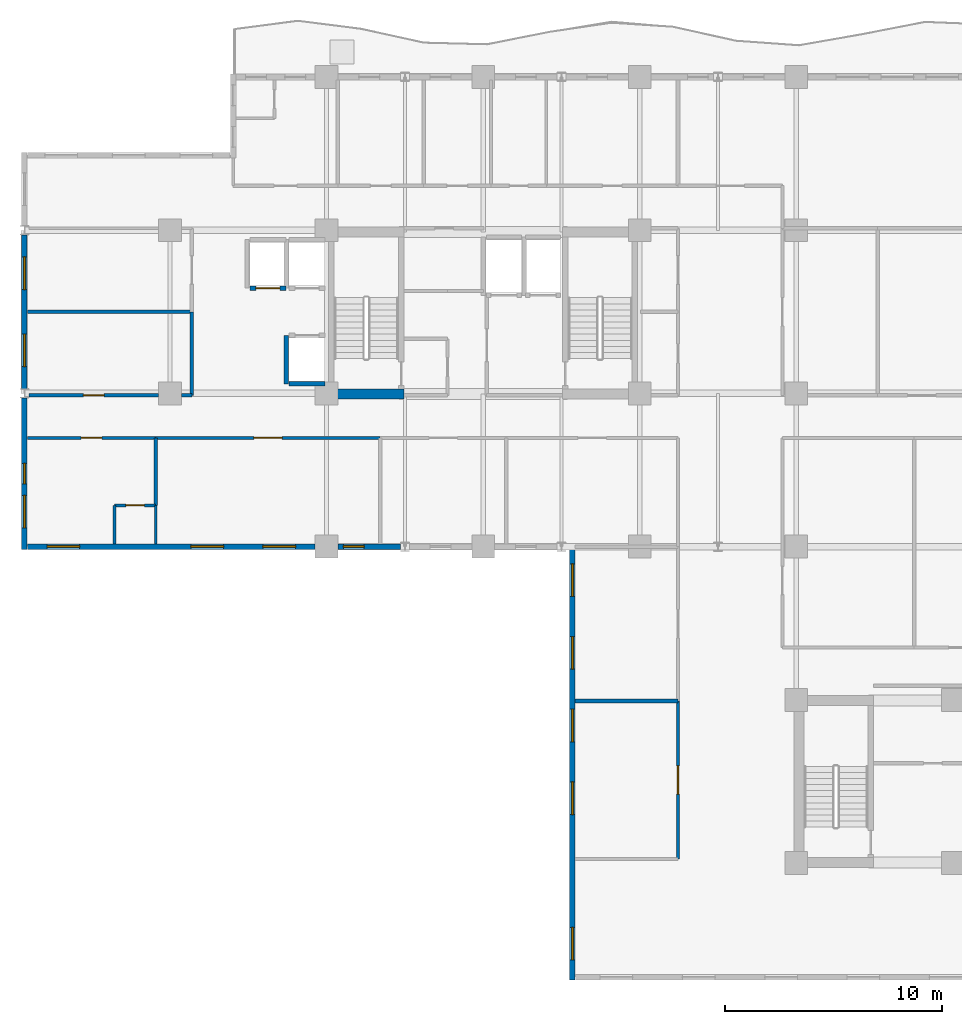
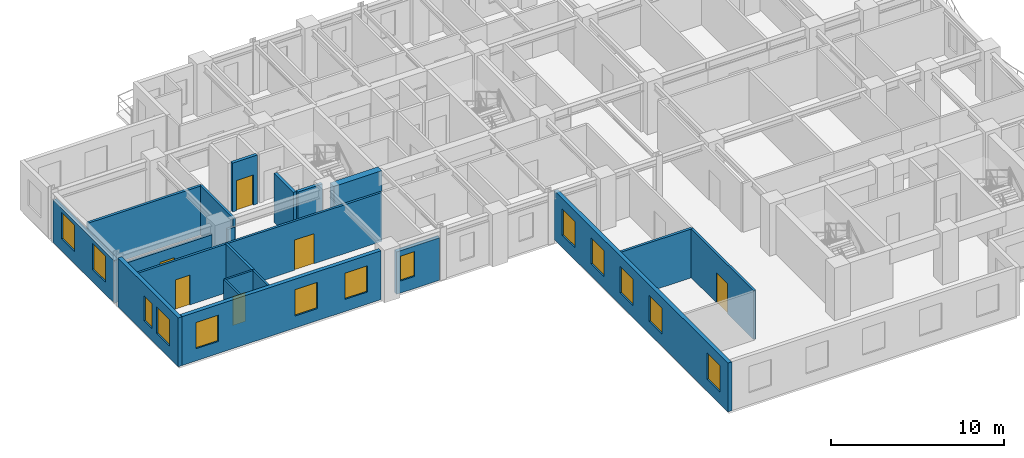
# One storey, part 4 of 13: 21 walls, 13 windows, 6 doors, 19 openings.
"""IFC4 building model written with IfcOpenShell, lengths in metres."""

from ifc_helpers import new_model, si_unit, direction, frame, frame_2d, origin, place, context, subcontext, project, spatial, rectangle, extrude, material, layer, layer_set, type_object, element, fill, save


model = new_model("IFC4")

# Units and contexts
model_context = context("Model", 3, precision=1e-05, world=origin(), true_north=direction((0.0, 1.0)))
body_context = subcontext(model_context, "Body", "Model", "MODEL_VIEW")
ifc_project = project(units=[si_unit("LENGTHUNIT", "METRE"), si_unit("AREAUNIT", "SQUARE_METRE"), si_unit("VOLUMEUNIT", "CUBIC_METRE"), si_unit("PLANEANGLEUNIT", "RADIAN"), si_unit("MASSUNIT", "GRAM", prefix="KILO")], contexts=[model_context])

# Site, building, storey
site_placement = place(None, origin())
site = spatial("IfcSite", under=ifc_project, at=site_placement, CompositionType="ELEMENT")
building_placement = place(site_placement, origin())
building = spatial("IfcBuilding", under=site, at=building_placement, Name="Kaliganga Portal Commons", CompositionType="ELEMENT")
storey_placement = place(building_placement, frame((0.0, 0.0, 177.199951171875)))
storey = spatial("IfcBuildingStorey", under=building, at=storey_placement, Name="L45", CompositionType="ELEMENT", Elevation=177.199951171875)

# Wall
ifc_material_1 = material(Name="Concrete C60/75", Category="concrete")
ifc_layer_1 = layer(ifc_material_1, 0.449951171875)
ifc_layer_set_1 = layer_set([ifc_layer_1], Name="Concrete C60/75")
wall_type_1 = type_object("IfcWallType", Name="WL-CORE-450", PredefinedType="SHEAR", material=ifc_layer_set_1)
wall_1_placement = place(storey_placement, frame((14.75, 28.625, 0.0), z_axis=(0.0, 0.0, 1.0), x_axis=(1.0, 0.0, 0.0)))
element("IfcWall", 1, at=wall_1_placement, inside=storey, type_object=wall_type_1, Name="Core A S-West Shear Wall L45", PredefinedType="SHEAR", context=body_context, shape_type="SweptSolid", body=[
    extrude(rectangle(XDim=3.199951171875, YDim=0.449951171875, at=frame_2d((1.60009765625, 0.0))), origin(), (0.0, 0.0, 1.0), 3.4599609375),
])

# Wall, openings, windows
ifc_material_2 = material(Name="Insulated Aluminium-Clad Spandrel Assembly", Category="aluminium")
ifc_layer_2 = layer(ifc_material_2, 0.260009765625)
ifc_layer_set_2 = layer_set([ifc_layer_2], Name="Insulated Aluminium-Clad Spandrel Assembly")
wall_type_2 = type_object("IfcWallType", Name="WL-EXT-SPAND-260", PredefinedType="STANDARD", material=ifc_layer_set_2)
wall_2_placement = place(storey_placement, frame((0.5, 28.85791015625, 0.0), z_axis=(0.0, 0.0, 1.0), x_axis=(0.0, 1.0, 0.0)))
wall_2 = element("IfcWall", 2, at=wall_2_placement, inside=storey, type_object=wall_type_2, Name="Exterior Envelope Wall L45 P1-E09-S2", PredefinedType="STANDARD", context=body_context, shape_type="SweptSolid", body=[
    extrude(rectangle(XDim=7.083984375, YDim=0.260009765625, at=frame_2d((3.5419921875, 0.0))), origin(), (0.0, 0.0, 1.0), 2.989990234375),
])
opening_1_placement = place(wall_2_placement, frame((1.02099609375, 0.0, 0.85009765625)))
opening_1 = element("IfcOpeningElement", 3, at=opening_1_placement, cuts=wall_2, Name="Opening W-02", PredefinedType="OPENING", context=body_context, shape_type="SweptSolid", body=[
    extrude(rectangle(XDim=1.5, YDim=1.85009765625, at=frame_2d((0.75, 0.925048828125))), frame((0.0, 0.14013671875, 0.0), z_axis=(0.0, -1.0, 0.0), x_axis=(1.0, 0.0, 0.0)), (0.0, 0.0, 1.0), 0.280029296875),
])
opening_2_placement = place(wall_2_placement, frame((4.56298828125, 0.0, 0.85009765625)))
opening_2 = element("IfcOpeningElement", 4, at=opening_2_placement, cuts=wall_2, Name="Opening W-02", PredefinedType="OPENING", context=body_context, shape_type="SweptSolid", body=[
    extrude(rectangle(XDim=1.5, YDim=1.85009765625, at=frame_2d((0.75, 0.925048828125))), frame((0.0, 0.14013671875, 0.0), z_axis=(0.0, -1.0, 0.0), x_axis=(1.0, 0.0, 0.0)), (0.0, 0.0, 1.0), 0.280029296875),
])
ifc_material_3 = material(Name="Thermally Broken Aluminium and Low-E Double Glazing", Category="aluminium")
window_type_1 = type_object("IfcWindowType", Name="WIN-STD-1500", PartitioningType="DOUBLE_PANEL_VERTICAL", PredefinedType="WINDOW", material=ifc_material_3)
window_1_placement = place(opening_1_placement, origin())
window_1 = element("IfcWindow", 5, at=window_1_placement, inside=storey, type_object=window_type_1, Name="Facade Window L45-P1E09S2-00", OverallHeight=1.85009765625, OverallWidth=1.5, PartitioningType="SINGLE_PANEL", PredefinedType="WINDOW", context=body_context, shape_type="SweptSolid", body=[
    extrude(rectangle(XDim=1.5, YDim=1.85009765625, at=frame_2d((0.75, 0.925048828125))), frame((0.0, 0.030029296875, 0.0), z_axis=(0.0, -1.0, 0.0), x_axis=(1.0, 0.0, 0.0)), (0.0, 0.0, 1.0), 0.06005859375),
])
fill(opening_1, window_1)
window_2_placement = place(opening_2_placement, origin())
window_2 = element("IfcWindow", 6, at=window_2_placement, inside=storey, type_object=window_type_1, Name="Facade Window L45-P1E09S2-01", OverallHeight=1.85009765625, OverallWidth=1.5, PartitioningType="SINGLE_PANEL", PredefinedType="WINDOW", context=body_context, shape_type="SweptSolid", body=[
    extrude(rectangle(XDim=1.5, YDim=1.85009765625, at=frame_2d((0.75, 0.925048828125))), frame((0.0, 0.030029296875, 0.0), z_axis=(0.0, -1.0, 0.0), x_axis=(1.0, 0.0, 0.0)), (0.0, 0.0, 1.0), 0.06005859375),
])
fill(opening_2, window_2)

wall_3_placement = place(storey_placement, frame((0.5, 21.469970703125, 0.0), z_axis=(0.0, 0.0, 1.0), x_axis=(0.0, 1.0, 0.0)))
wall_3 = element("IfcWall", 7, at=wall_3_placement, inside=storey, type_object=wall_type_2, Name="Exterior Envelope Wall L45 P1-E09-S3", PredefinedType="STANDARD", context=body_context, shape_type="SweptSolid", body=[
    extrude(rectangle(XDim=6.971923828125, YDim=0.260009765625, at=frame_2d((3.48583984375, 0.0))), origin(), (0.0, 0.0, 1.0), 3.43994140625),
])
opening_3_placement = place(wall_3_placement, frame((0.992919921875, 0.0, 0.85009765625)))
opening_3 = element("IfcOpeningElement", 8, at=opening_3_placement, cuts=wall_3, Name="Opening W-02", PredefinedType="OPENING", context=body_context, shape_type="SweptSolid", body=[
    extrude(rectangle(XDim=1.5, YDim=1.85009765625, at=frame_2d((0.75, 0.925048828125))), frame((0.0, 0.14013671875, 0.0), z_axis=(0.0, -1.0, 0.0), x_axis=(1.0, 0.0, 0.0)), (0.0, 0.0, 1.0), 0.280029296875),
])
opening_4_placement = place(wall_3_placement, frame((3.010986328125, 0.0, 0.85009765625)))
opening_4 = element("IfcOpeningElement", 9, at=opening_4_placement, cuts=wall_3, Name="Opening W-04", PredefinedType="OPENING", context=body_context, shape_type="SweptSolid", body=[
    extrude(rectangle(XDim=0.949951171875, YDim=1.75, at=frame_2d((0.47509765625, 0.875))), frame((0.0, 0.14013671875, 0.0), z_axis=(0.0, -1.0, 0.0), x_axis=(1.0, 0.0, 0.0)), (0.0, 0.0, 1.0), 0.280029296875),
])
window_type_2 = type_object("IfcWindowType", Name="WIN-NARROW-950", PartitioningType="SINGLE_PANEL", PredefinedType="WINDOW", material=ifc_material_3)
window_3_placement = place(opening_4_placement, origin())
window_3 = element("IfcWindow", 10, at=window_3_placement, inside=storey, type_object=window_type_2, Name="Facade Window L45-P1E09S3-N0", OverallHeight=1.75, OverallWidth=0.949951171875, PartitioningType="SINGLE_PANEL", PredefinedType="WINDOW", context=body_context, shape_type="SweptSolid", body=[
    extrude(rectangle(XDim=0.949951171875, YDim=1.75, at=frame_2d((0.47509765625, 0.875))), frame((0.0, 0.030029296875, 0.0), z_axis=(0.0, -1.0, 0.0), x_axis=(1.0, 0.0, 0.0)), (0.0, 0.0, 1.0), 0.06005859375),
])
fill(opening_4, window_3)
window_4_placement = place(opening_3_placement, origin())
window_4 = element("IfcWindow", 11, at=window_4_placement, inside=storey, type_object=window_type_1, Name="Facade Window L45-P1E09S3-00", OverallHeight=1.85009765625, OverallWidth=1.5, PartitioningType="SINGLE_PANEL", PredefinedType="WINDOW", context=body_context, shape_type="SweptSolid", body=[
    extrude(rectangle(XDim=1.5, YDim=1.85009765625, at=frame_2d((0.75, 0.925048828125))), frame((0.0, 0.030029296875, 0.0), z_axis=(0.0, -1.0, 0.0), x_axis=(1.0, 0.0, 0.0)), (0.0, 0.0, 1.0), 0.06005859375),
])
fill(opening_3, window_4)

wall_4_placement = place(storey_placement, frame((13.8740234375, 21.60009765625, 0.0), z_axis=(0.0, 0.0, 1.0), x_axis=(-1.0, 0.0, 0.0)))
wall_4 = element("IfcWall", 12, at=wall_4_placement, inside=storey, type_object=wall_type_2, Name="Exterior Envelope Wall L45 P1-E10-S1", PredefinedType="STANDARD", context=body_context, shape_type="SweptSolid", body=[
    extrude(rectangle(XDim=13.239013671875, YDim=0.260009765625, at=frame_2d((6.61962890625, 0.0))), origin(), (0.0, 0.0, 1.0), 3.43994140625),
])
opening_5_placement = place(wall_4_placement, frame((0.90478515625, 0.0, 0.85009765625)))
opening_5 = element("IfcOpeningElement", 13, at=opening_5_placement, cuts=wall_4, Name="Opening W-02", PredefinedType="OPENING", context=body_context, shape_type="SweptSolid", body=[
    extrude(rectangle(XDim=1.5, YDim=1.85009765625, at=frame_2d((0.75, 0.925048828125))), frame((0.0, 0.14013671875, 0.0), z_axis=(0.0, -1.0, 0.0), x_axis=(1.0, 0.0, 0.0)), (0.0, 0.0, 1.0), 0.280029296875),
])
opening_6_placement = place(wall_4_placement, frame((4.214599609375, 0.0, 0.85009765625)))
opening_6 = element("IfcOpeningElement", 14, at=opening_6_placement, cuts=wall_4, Name="Opening W-02", PredefinedType="OPENING", context=body_context, shape_type="SweptSolid", body=[
    extrude(rectangle(XDim=1.5, YDim=1.85009765625, at=frame_2d((0.75, 0.925048828125))), frame((0.0, 0.14013671875, 0.0), z_axis=(0.0, -1.0, 0.0), x_axis=(1.0, 0.0, 0.0)), (0.0, 0.0, 1.0), 0.280029296875),
])
opening_7_placement = place(wall_4_placement, frame((10.833984375, 0.0, 0.85009765625)))
opening_7 = element("IfcOpeningElement", 15, at=opening_7_placement, cuts=wall_4, Name="Opening W-02", PredefinedType="OPENING", context=body_context, shape_type="SweptSolid", body=[
    extrude(rectangle(XDim=1.5, YDim=1.85009765625, at=frame_2d((0.75, 0.925048828125))), frame((0.0, 0.14013671875, 0.0), z_axis=(0.0, -1.0, 0.0), x_axis=(1.0, 0.0, 0.0)), (0.0, 0.0, 1.0), 0.280029296875),
])
window_5_placement = place(opening_5_placement, origin())
window_5 = element("IfcWindow", 16, at=window_5_placement, inside=storey, type_object=window_type_1, Name="Facade Window L45-P1E10S1-00", OverallHeight=1.85009765625, OverallWidth=1.5, PartitioningType="SINGLE_PANEL", PredefinedType="WINDOW", context=body_context, shape_type="SweptSolid", body=[
    extrude(rectangle(XDim=1.5, YDim=1.85009765625, at=frame_2d((0.75, 0.925048828125))), frame((0.0, 0.030029296875, 0.0), z_axis=(0.0, -1.0, 0.0), x_axis=(1.0, 0.0, 0.0)), (0.0, 0.0, 1.0), 0.06005859375),
])
fill(opening_5, window_5)
window_6_placement = place(opening_6_placement, origin())
window_6 = element("IfcWindow", 17, at=window_6_placement, inside=storey, type_object=window_type_1, Name="Facade Window L45-P1E10S1-01", OverallHeight=1.85009765625, OverallWidth=1.5, PartitioningType="SINGLE_PANEL", PredefinedType="WINDOW", context=body_context, shape_type="SweptSolid", body=[
    extrude(rectangle(XDim=1.5, YDim=1.85009765625, at=frame_2d((0.75, 0.925048828125))), frame((0.0, 0.030029296875, 0.0), z_axis=(0.0, -1.0, 0.0), x_axis=(1.0, 0.0, 0.0)), (0.0, 0.0, 1.0), 0.06005859375),
])
fill(opening_6, window_6)
window_7_placement = place(opening_7_placement, origin())
window_7 = element("IfcWindow", 18, at=window_7_placement, inside=storey, type_object=window_type_1, Name="Facade Window L45-P1E10S1-03", OverallHeight=1.85009765625, OverallWidth=1.5, PartitioningType="SINGLE_PANEL", PredefinedType="WINDOW", context=body_context, shape_type="SweptSolid", body=[
    extrude(rectangle(XDim=1.5, YDim=1.85009765625, at=frame_2d((0.75, 0.925048828125))), frame((0.0, 0.030029296875, 0.0), z_axis=(0.0, -1.0, 0.0), x_axis=(1.0, 0.0, 0.0)), (0.0, 0.0, 1.0), 0.06005859375),
])
fill(opening_7, window_7)

# Wall, opening, window
wall_5_placement = place(storey_placement, frame((17.797119140625, 21.60009765625, 0.0), z_axis=(0.0, 0.0, 1.0), x_axis=(-1.0, 0.0, 0.0)))
wall_5 = element("IfcWall", 19, at=wall_5_placement, inside=storey, type_object=wall_type_2, Name="Exterior Envelope Wall L45 P1-E10-S2", PredefinedType="STANDARD", context=body_context, shape_type="SweptSolid", body=[
    extrude(rectangle(XDim=2.87109375, YDim=0.260009765625, at=frame_2d((1.435546875, 0.0))), origin(), (0.0, 0.0, 1.0), 2.989990234375),
])
opening_8_placement = place(wall_5_placement, frame((1.672607421875, 0.0, 0.85009765625)))
opening_8 = element("IfcOpeningElement", 20, at=opening_8_placement, cuts=wall_5, Name="Opening W-04", PredefinedType="OPENING", context=body_context, shape_type="SweptSolid", body=[
    extrude(rectangle(XDim=0.949951171875, YDim=1.75, at=frame_2d((0.47509765625, 0.875))), frame((0.0, 0.14013671875, 0.0), z_axis=(0.0, -1.0, 0.0), x_axis=(1.0, 0.0, 0.0)), (0.0, 0.0, 1.0), 0.280029296875),
])
window_8_placement = place(opening_8_placement, origin())
window_8 = element("IfcWindow", 21, at=window_8_placement, inside=storey, type_object=window_type_2, Name="Facade Window L45-P1E10S2-N2", OverallHeight=1.75, OverallWidth=0.949951171875, PartitioningType="SINGLE_PANEL", PredefinedType="WINDOW", context=body_context, shape_type="SweptSolid", body=[
    extrude(rectangle(XDim=0.949951171875, YDim=1.75, at=frame_2d((0.47509765625, 0.875))), frame((0.0, 0.030029296875, 0.0), z_axis=(0.0, -1.0, 0.0), x_axis=(1.0, 0.0, 0.0)), (0.0, 0.0, 1.0), 0.06005859375),
])
fill(opening_8, window_8)

# Wall, openings, windows
wall_6_placement = place(storey_placement, frame((25.699951171875, 1.669921875, 0.0), z_axis=(0.0, 0.0, 1.0), x_axis=(0.0, 1.0, 0.0)))
wall_6 = element("IfcWall", 22, at=wall_6_placement, inside=storey, type_object=wall_type_2, Name="Exterior Envelope Wall L45 P1-E11-S1", PredefinedType="STANDARD", context=body_context, shape_type="SweptSolid", body=[
    extrude(rectangle(XDim=20.06005859375, YDim=0.260009765625, at=frame_2d((10.030029296875, 0.0))), origin(), (0.0, 0.0, 1.0), 3.43994140625),
])
opening_9_placement = place(wall_6_placement, frame((0.921630859375, 0.0, 0.85009765625)))
opening_9 = element("IfcOpeningElement", 23, at=opening_9_placement, cuts=wall_6, Name="Opening W-02", PredefinedType="OPENING", context=body_context, shape_type="SweptSolid", body=[
    extrude(rectangle(XDim=1.5, YDim=1.85009765625, at=frame_2d((0.75, 0.925048828125))), frame((0.0, 0.14013671875, 0.0), z_axis=(0.0, -1.0, 0.0), x_axis=(1.0, 0.0, 0.0)), (0.0, 0.0, 1.0), 0.280029296875),
])
opening_10_placement = place(wall_6_placement, frame((7.6083984375, 0.0, 0.85009765625)))
opening_10 = element("IfcOpeningElement", 24, at=opening_10_placement, cuts=wall_6, Name="Opening W-02", PredefinedType="OPENING", context=body_context, shape_type="SweptSolid", body=[
    extrude(rectangle(XDim=1.5, YDim=1.85009765625, at=frame_2d((0.75, 0.925048828125))), frame((0.0, 0.14013671875, 0.0), z_axis=(0.0, -1.0, 0.0), x_axis=(1.0, 0.0, 0.0)), (0.0, 0.0, 1.0), 0.280029296875),
])
opening_11_placement = place(wall_6_placement, frame((10.95166015625, 0.0, 0.85009765625)))
opening_11 = element("IfcOpeningElement", 25, at=opening_11_placement, cuts=wall_6, Name="Opening W-02", PredefinedType="OPENING", context=body_context, shape_type="SweptSolid", body=[
    extrude(rectangle(XDim=1.5, YDim=1.85009765625, at=frame_2d((0.75, 0.925048828125))), frame((0.0, 0.14013671875, 0.0), z_axis=(0.0, -1.0, 0.0), x_axis=(1.0, 0.0, 0.0)), (0.0, 0.0, 1.0), 0.280029296875),
])
opening_12_placement = place(wall_6_placement, frame((14.294921875, 0.0, 0.85009765625)))
opening_12 = element("IfcOpeningElement", 26, at=opening_12_placement, cuts=wall_6, Name="Opening W-02", PredefinedType="OPENING", context=body_context, shape_type="SweptSolid", body=[
    extrude(rectangle(XDim=1.5, YDim=1.85009765625, at=frame_2d((0.75, 0.925048828125))), frame((0.0, 0.14013671875, 0.0), z_axis=(0.0, -1.0, 0.0), x_axis=(1.0, 0.0, 0.0)), (0.0, 0.0, 1.0), 0.280029296875),
])
opening_13_placement = place(wall_6_placement, frame((17.63818359375, 0.0, 0.85009765625)))
opening_13 = element("IfcOpeningElement", 27, at=opening_13_placement, cuts=wall_6, Name="Opening W-02", PredefinedType="OPENING", context=body_context, shape_type="SweptSolid", body=[
    extrude(rectangle(XDim=1.5, YDim=1.85009765625, at=frame_2d((0.75, 0.925048828125))), frame((0.0, 0.14013671875, 0.0), z_axis=(0.0, -1.0, 0.0), x_axis=(1.0, 0.0, 0.0)), (0.0, 0.0, 1.0), 0.280029296875),
])
window_9_placement = place(opening_9_placement, origin())
window_9 = element("IfcWindow", 28, at=window_9_placement, inside=storey, type_object=window_type_1, Name="Facade Window L45-P1E11S1-00", OverallHeight=1.85009765625, OverallWidth=1.5, PartitioningType="SINGLE_PANEL", PredefinedType="WINDOW", context=body_context, shape_type="SweptSolid", body=[
    extrude(rectangle(XDim=1.5, YDim=1.85009765625, at=frame_2d((0.75, 0.925048828125))), frame((0.0, 0.030029296875, 0.0), z_axis=(0.0, -1.0, 0.0), x_axis=(1.0, 0.0, 0.0)), (0.0, 0.0, 1.0), 0.06005859375),
])
fill(opening_9, window_9)
window_10_placement = place(opening_10_placement, origin())
window_10 = element("IfcWindow", 29, at=window_10_placement, inside=storey, type_object=window_type_1, Name="Facade Window L45-P1E11S1-02", OverallHeight=1.85009765625, OverallWidth=1.5, PartitioningType="SINGLE_PANEL", PredefinedType="WINDOW", context=body_context, shape_type="SweptSolid", body=[
    extrude(rectangle(XDim=1.5, YDim=1.85009765625, at=frame_2d((0.75, 0.925048828125))), frame((0.0, 0.030029296875, 0.0), z_axis=(0.0, -1.0, 0.0), x_axis=(1.0, 0.0, 0.0)), (0.0, 0.0, 1.0), 0.06005859375),
])
fill(opening_10, window_10)
window_11_placement = place(opening_11_placement, origin())
window_11 = element("IfcWindow", 30, at=window_11_placement, inside=storey, type_object=window_type_1, Name="Facade Window L45-P1E11S1-03", OverallHeight=1.85009765625, OverallWidth=1.5, PartitioningType="SINGLE_PANEL", PredefinedType="WINDOW", context=body_context, shape_type="SweptSolid", body=[
    extrude(rectangle(XDim=1.5, YDim=1.85009765625, at=frame_2d((0.75, 0.925048828125))), frame((0.0, 0.030029296875, 0.0), z_axis=(0.0, -1.0, 0.0), x_axis=(1.0, 0.0, 0.0)), (0.0, 0.0, 1.0), 0.06005859375),
])
fill(opening_11, window_11)
window_12_placement = place(opening_12_placement, origin())
window_12 = element("IfcWindow", 31, at=window_12_placement, inside=storey, type_object=window_type_1, Name="Facade Window L45-P1E11S1-04", OverallHeight=1.85009765625, OverallWidth=1.5, PartitioningType="SINGLE_PANEL", PredefinedType="WINDOW", context=body_context, shape_type="SweptSolid", body=[
    extrude(rectangle(XDim=1.5, YDim=1.85009765625, at=frame_2d((0.75, 0.925048828125))), frame((0.0, 0.030029296875, 0.0), z_axis=(0.0, -1.0, 0.0), x_axis=(1.0, 0.0, 0.0)), (0.0, 0.0, 1.0), 0.06005859375),
])
fill(opening_12, window_12)
window_13_placement = place(opening_13_placement, origin())
window_13 = element("IfcWindow", 32, at=window_13_placement, inside=storey, type_object=window_type_1, Name="Facade Window L45-P1E11S1-05", OverallHeight=1.85009765625, OverallWidth=1.5, PartitioningType="SINGLE_PANEL", PredefinedType="WINDOW", context=body_context, shape_type="SweptSolid", body=[
    extrude(rectangle(XDim=1.5, YDim=1.85009765625, at=frame_2d((0.75, 0.925048828125))), frame((0.0, 0.030029296875, 0.0), z_axis=(0.0, -1.0, 0.0), x_axis=(1.0, 0.0, 0.0)), (0.0, 0.0, 1.0), 0.06005859375),
])
fill(opening_13, window_13)

# Wall, opening, door
ifc_material_4 = material(Name="Fire-Rated Gypsum Board on Steel Stud", Category="steel")
ifc_layer_3 = layer(ifc_material_4, 0.14990234375)
ifc_layer_set_3 = layer_set([ifc_layer_3], Name="Fire-Rated Gypsum Board on Steel Stud")
wall_type_3 = type_object("IfcWallType", Name="WL-PART-CORR-150", PredefinedType="PARTITIONING", material=ifc_layer_set_3)
wall_7_placement = place(storey_placement, frame((6.5400390625, 26.60009765625, 0.0), z_axis=(0.0, 0.0, 1.0), x_axis=(1.0, 0.0, 0.0)))
wall_7 = element("IfcWall", 33, at=wall_7_placement, inside=storey, type_object=wall_type_3, Name="Interior Partition L45-006", PredefinedType="PARTITIONING", context=body_context, shape_type="SweptSolid", body=[
    extrude(rectangle(XDim=10.320068359375, YDim=0.14990234375, at=frame_2d((5.16015625, 0.0))), origin(), (0.0, 0.0, 1.0), 3.43994140625),
])
opening_14_placement = place(wall_7_placement, frame((4.510009765625, 0.0, 0.0)))
opening_14 = element("IfcOpeningElement", 34, at=opening_14_placement, cuts=wall_7, Name="Opening RD-03", PredefinedType="OPENING", context=body_context, shape_type="SweptSolid", body=[
    extrude(rectangle(XDim=1.300048828125, YDim=2.1201171875, at=frame_2d((0.64990234375, 1.06005859375))), frame((0.0, 0.0849609375, 0.0), z_axis=(0.0, -1.0, 0.0), x_axis=(1.0, 0.0, 0.0)), (0.0, 0.0, 1.0), 0.169921875),
])
ifc_material_5 = material(Name="Glazed Timber Seminar Vision Door", Category="wood")
door_type_1 = type_object("IfcDoorType", Name="DR-STUDY-1300", OperationType="DOUBLE_DOOR_SINGLE_SWING", PredefinedType="DOOR", material=ifc_material_5)
door_1_placement = place(opening_14_placement, origin())
door_1 = element("IfcDoor", 35, at=door_1_placement, inside=storey, type_object=door_type_1, Name="Interior Door L45-AS02", OperationType="DOUBLE_DOOR_SINGLE_SWING", OverallHeight=2.1201171875, OverallWidth=1.300048828125, PredefinedType="DOOR", context=body_context, shape_type="SweptSolid", body=[
    extrude(rectangle(XDim=1.300048828125, YDim=2.1201171875, at=frame_2d((0.64990234375, 1.06005859375))), frame((0.0, 0.02490234375, 0.0), z_axis=(0.0, -1.0, 0.0), x_axis=(1.0, 0.0, 0.0)), (0.0, 0.0, 1.0), 0.050048828125),
])
fill(opening_14, door_1)

wall_8_placement = place(storey_placement, frame((0.701904296875, 28.56005859375, 0.0), z_axis=(0.0, 0.0, 1.0), x_axis=(1.0, 0.0, 0.0)))
wall_8 = element("IfcWall", 36, at=wall_8_placement, inside=storey, type_object=wall_type_3, Name="Interior Partition L45-009", PredefinedType="PARTITIONING", context=body_context, shape_type="SweptSolid", body=[
    extrude(rectangle(XDim=5.97314453125, YDim=0.14990234375, at=frame_2d((2.986572265625, 0.0))), origin(), (0.0, 0.0, 1.0), 2.840087890625),
])
opening_15_placement = place(wall_8_placement, frame((2.511474609375, 0.0, 0.0)))
opening_15 = element("IfcOpeningElement", 37, at=opening_15_placement, cuts=wall_8, Name="Opening UD-01", PredefinedType="OPENING", context=body_context, shape_type="SweptSolid", body=[
    extrude(rectangle(XDim=0.949951171875, YDim=2.10009765625, at=frame_2d((0.47509765625, 1.050048828125))), frame((0.0, 0.0849609375, 0.0), z_axis=(0.0, -1.0, 0.0), x_axis=(1.0, 0.0, 0.0)), (0.0, 0.0, 1.0), 0.169921875),
])
ifc_material_6 = material(Name="Solid-Core Timber Acoustic Fire Door", Category="wood")
door_type_2 = type_object("IfcDoorType", Name="DR-UNIT-950", OperationType="NOTDEFINED", PredefinedType="DOOR", material=ifc_material_6)
door_2_placement = place(opening_15_placement, origin())
door_2 = element("IfcDoor", 38, at=door_2_placement, inside=storey, type_object=door_type_2, Name="Interior Door L45-AW01", OperationType="SINGLE_SWING_RIGHT", OverallHeight=2.10009765625, OverallWidth=0.949951171875, PredefinedType="DOOR", context=body_context, shape_type="SweptSolid", body=[
    extrude(rectangle(XDim=0.949951171875, YDim=2.10009765625, at=frame_2d((0.47509765625, 1.050048828125))), frame((0.0, 0.02490234375, 0.0), z_axis=(0.0, -1.0, 0.0), x_axis=(1.0, 0.0, 0.0)), (0.0, 0.0, 1.0), 0.050048828125),
])
fill(opening_15, door_2)

# Wall
wall_9_placement = place(storey_placement, frame((7.72509765625, 28.56005859375, 0.0), z_axis=(0.0, 0.0, 1.0), x_axis=(1.0, 0.0, 0.0)))
element("IfcWall", 39, at=wall_9_placement, inside=storey, type_object=wall_type_3, Name="Interior Partition L45-010", PredefinedType="PARTITIONING", context=body_context, shape_type="SweptSolid", body=[
    extrude(rectangle(XDim=0.474853515625, YDim=0.14990234375, at=frame_2d((0.2373046875, 0.0))), origin(), (0.0, 0.0, 1.0), 2.840087890625),
])

# Wall, opening, door
wall_10_placement = place(storey_placement, frame((30.56005859375, 7.239990234375, 0.0), z_axis=(0.0, 0.0, 1.0), x_axis=(0.0, 1.0, 0.0)))
wall_10 = element("IfcWall", 40, at=wall_10_placement, inside=storey, type_object=wall_type_3, Name="Interior Partition L45-012", PredefinedType="PARTITIONING", context=body_context, shape_type="SweptSolid", body=[
    extrude(rectangle(XDim=7.260009765625, YDim=0.14990234375, at=frame_2d((3.6298828125, 0.0))), origin(), (0.0, 0.0, 1.0), 3.43994140625),
])
opening_16_placement = place(wall_10_placement, frame((2.97998046875, 0.0, 0.0)))
opening_16 = element("IfcOpeningElement", 41, at=opening_16_placement, cuts=wall_10, Name="Opening RD-03", PredefinedType="OPENING", context=body_context, shape_type="SweptSolid", body=[
    extrude(rectangle(XDim=1.300048828125, YDim=2.1201171875, at=frame_2d((0.64990234375, 1.06005859375))), frame((0.0, 0.0849609375, 0.0), z_axis=(0.0, -1.0, 0.0), x_axis=(1.0, 0.0, 0.0)), (0.0, 0.0, 1.0), 0.169921875),
])
door_3_placement = place(opening_16_placement, origin())
door_3 = element("IfcDoor", 42, at=door_3_placement, inside=storey, type_object=door_type_1, Name="Interior Door L45-KW01", OperationType="DOUBLE_DOOR_SINGLE_SWING", OverallHeight=2.1201171875, OverallWidth=1.300048828125, PredefinedType="DOOR", context=body_context, shape_type="SweptSolid", body=[
    extrude(rectangle(XDim=1.300048828125, YDim=2.1201171875, at=frame_2d((0.64990234375, 1.06005859375))), frame((0.0, 0.02490234375, 0.0), z_axis=(0.0, -1.0, 0.0), x_axis=(1.0, 0.0, 0.0)), (0.0, 0.0, 1.0), 0.050048828125),
])
fill(opening_16, door_3)

wall_11_placement = place(storey_placement, frame((0.632080078125, 26.60009765625, 0.0), z_axis=(0.0, 0.0, 1.0), x_axis=(1.0, 0.0, 0.0)))
wall_11 = element("IfcWall", 43, at=wall_11_placement, inside=storey, type_object=wall_type_3, Name="Interior Partition L45-019", PredefinedType="PARTITIONING", context=body_context, shape_type="SweptSolid", body=[
    extrude(rectangle(XDim=5.907958984375, YDim=0.14990234375, at=frame_2d((2.9541015625, 0.0))), origin(), (0.0, 0.0, 1.0), 3.43994140625),
])
opening_17_placement = place(wall_11_placement, frame((2.47900390625, 0.0, 0.0)))
opening_17 = element("IfcOpeningElement", 44, at=opening_17_placement, cuts=wall_11, Name="Opening UD-01", PredefinedType="OPENING", context=body_context, shape_type="SweptSolid", body=[
    extrude(rectangle(XDim=0.949951171875, YDim=2.10009765625, at=frame_2d((0.47509765625, 1.050048828125))), frame((0.0, 0.0849609375, 0.0), z_axis=(0.0, -1.0, 0.0), x_axis=(1.0, 0.0, 0.0)), (0.0, 0.0, 1.0), 0.169921875),
])
door_4_placement = place(opening_17_placement, origin())
door_4 = element("IfcDoor", 45, at=door_4_placement, inside=storey, type_object=door_type_2, Name="Interior Door L45-AS01", OperationType="SINGLE_SWING_RIGHT", OverallHeight=2.10009765625, OverallWidth=0.949951171875, PredefinedType="DOOR", context=body_context, shape_type="SweptSolid", body=[
    extrude(rectangle(XDim=0.949951171875, YDim=2.10009765625, at=frame_2d((0.47509765625, 1.050048828125))), frame((0.0, 0.02490234375, 0.0), z_axis=(0.0, -1.0, 0.0), x_axis=(1.0, 0.0, 0.0)), (0.0, 0.0, 1.0), 0.050048828125),
])
fill(opening_17, door_4)

# Walls
wall_12_placement = place(storey_placement, frame((8.199951171875, 28.56005859375, 0.0), z_axis=(0.0, 0.0, 1.0), x_axis=(0.0, 1.0, 0.0)))
element("IfcWall", 46, at=wall_12_placement, inside=storey, type_object=wall_type_3, Name="Interior Partition L45-036", PredefinedType="PARTITIONING", context=body_context, shape_type="SweptSolid", body=[
    extrude(rectangle(XDim=3.83984375, YDim=0.14990234375, at=frame_2d((1.919921875, 0.0))), origin(), (0.0, 0.0, 1.0), 3.43994140625),
])
ifc_material_7 = material(Name="Twin-Stud Acoustic Gypsum Partition", Category="gypsum")
ifc_layer_4 = layer(ifc_material_7, 0.1650390625)
ifc_layer_set_4 = layer_set([ifc_layer_4], Name="Twin-Stud Acoustic Gypsum Partition")
wall_type_4 = type_object("IfcWallType", Name="WL-PART-UNIT-165", PredefinedType="PARTITIONING", material=ifc_layer_set_4)
wall_13_placement = place(storey_placement, frame((0.632080078125, 32.39990234375, 0.0), z_axis=(0.0, 0.0, 1.0), x_axis=(1.0, 0.0, 0.0)))
element("IfcWall", 47, at=wall_13_placement, inside=storey, type_object=wall_type_4, Name="Interior Partition L45-055", PredefinedType="PARTITIONING", context=body_context, shape_type="SweptSolid", body=[
    extrude(rectangle(XDim=7.56787109375, YDim=0.1650390625, at=frame_2d((3.783935546875, 0.0))), origin(), (0.0, 0.0, 1.0), 3.43994140625),
])
wall_14_placement = place(storey_placement, frame((25.83203125, 14.5, 0.0), z_axis=(0.0, 0.0, 1.0), x_axis=(1.0, 0.0, 0.0)))
element("IfcWall", 48, at=wall_14_placement, inside=storey, type_object=wall_type_4, Name="Interior Partition L45-071", PredefinedType="PARTITIONING", context=body_context, shape_type="SweptSolid", body=[
    extrude(rectangle(XDim=4.72802734375, YDim=0.1650390625, at=frame_2d((2.364013671875, 0.0))), origin(), (0.0, 0.0, 1.0), 3.43994140625),
])
wall_15_placement = place(storey_placement, frame((6.5400390625, 23.5, 0.0), z_axis=(0.0, 0.0, 1.0), x_axis=(0.0, 1.0, 0.0)))
element("IfcWall", 49, at=wall_15_placement, inside=storey, type_object=wall_type_4, Name="Interior Partition L45-077", PredefinedType="PARTITIONING", context=body_context, shape_type="SweptSolid", body=[
    extrude(rectangle(XDim=3.10009765625, YDim=0.1650390625, at=frame_2d((1.550048828125, 0.0))), origin(), (0.0, 0.0, 1.0), 3.43994140625),
])

# Wall, opening, door
ifc_material_8 = material(Name="Cement-Board Wet-Room Partition", Category="gypsum")
ifc_layer_5 = layer(ifc_material_8, 0.135009765625)
ifc_layer_set_5 = layer_set([ifc_layer_5], Name="Cement-Board Wet-Room Partition")
wall_type_5 = type_object("IfcWallType", Name="WL-PART-WET-135", PredefinedType="PARTITIONING", material=ifc_layer_set_5)
wall_16_placement = place(storey_placement, frame((4.639892578125, 23.5, 0.0), z_axis=(0.0, 0.0, 1.0), x_axis=(1.0, 0.0, 0.0)))
wall_16 = element("IfcWall", 50, at=wall_16_placement, inside=storey, type_object=wall_type_5, Name="Interior Partition L45-002", PredefinedType="PARTITIONING", context=body_context, shape_type="SweptSolid", body=[
    extrude(rectangle(XDim=1.900146484375, YDim=0.135009765625, at=frame_2d((0.9501953125, 0.0))), origin(), (0.0, 0.0, 1.0), 3.43994140625),
])
opening_18_placement = place(wall_16_placement, frame((0.52490234375, 0.0, 0.0)))
opening_18 = element("IfcOpeningElement", 51, at=opening_18_placement, cuts=wall_16, Name="Opening WD-01", PredefinedType="OPENING", context=body_context, shape_type="SweptSolid", body=[
    extrude(rectangle(XDim=0.85009765625, YDim=2.0400390625, at=frame_2d((0.425048828125, 1.02001953125))), frame((0.0, 0.07763671875, 0.0), z_axis=(0.0, -1.0, 0.0), x_axis=(1.0, 0.0, 0.0)), (0.0, 0.0, 1.0), 0.155029296875),
])
ifc_material_9 = material(Name="Moisture-Resistant Laminate Timber Door", Category="wood")
door_type_3 = type_object("IfcDoorType", Name="DR-WET-850", OperationType="NOTDEFINED", PredefinedType="DOOR", material=ifc_material_9)
door_5_placement = place(opening_18_placement, origin())
door_5 = element("IfcDoor", 52, at=door_5_placement, inside=storey, type_object=door_type_3, Name="Interior Door L45-AS01E", OperationType="SINGLE_SWING_RIGHT", OverallHeight=2.0400390625, OverallWidth=0.85009765625, PredefinedType="DOOR", context=body_context, shape_type="SweptSolid", body=[
    extrude(rectangle(XDim=0.85009765625, YDim=2.0400390625, at=frame_2d((0.425048828125, 1.02001953125))), frame((0.0, 0.02490234375, 0.0), z_axis=(0.0, -1.0, 0.0), x_axis=(1.0, 0.0, 0.0)), (0.0, 0.0, 1.0), 0.050048828125),
])
fill(opening_18, door_5)

# Walls
for number, where, z_axis, x_axis, name in (
    (53, (4.639892578125, 21.73193359375, 0.0), (0.0, 0.0, 1.0), (0.0, 1.0, 0.0), "Interior Partition L45-004"),
    (54, (6.5400390625, 21.73193359375, 0.0), (0.0, 0.0, 1.0), (0.0, 1.0, 0.0), "Interior Partition L45-005"),
):
    element("IfcWall", number, at=place(storey_placement, frame(where, z_axis=z_axis, x_axis=x_axis)), inside=storey, type_object=wall_type_5, Name=name, PredefinedType="PARTITIONING", context=body_context, shape_type="SweptSolid", body=[
        extrude(rectangle(XDim=1.76806640625, YDim=0.135009765625, at=frame_2d((0.884033203125, 0.0))), origin(), (0.0, 0.0, 1.0), 3.43994140625),
    ])
ifc_material_10 = material(Name="Fire-Rated Shaftwall Masonry Assembly", Category="masonry")
ifc_layer_6 = layer(ifc_material_10, 0.199951171875)
ifc_layer_set_6 = layer_set([ifc_layer_6], Name="Fire-Rated Shaftwall Masonry Assembly")
wall_type_6 = type_object("IfcWallType", Name="WL-SHAFT-200", PredefinedType="PARTITIONING", material=ifc_layer_set_6)
wall_17_placement = place(storey_placement, frame((12.675048828125, 29.0849609375, 0.0), z_axis=(0.0, 0.0, 1.0), x_axis=(1.0, 0.0, 0.0)))
element("IfcWall", 55, at=wall_17_placement, inside=storey, type_object=wall_type_6, Name="Lift PL-A4 Hoistway Shaft Wall L45-S", PredefinedType="PARTITIONING", context=body_context, shape_type="SweptSolid", body=[
    extrude(rectangle(XDim=1.64990234375, YDim=0.199951171875, at=frame_2d((0.824951171875, 0.0))), origin(), (0.0, 0.0, 1.0), 3.43994140625),
])
wall_18_placement = place(storey_placement, frame((12.534912109375, 29.0849609375, 0.0), z_axis=(0.0, 0.0, 1.0), x_axis=(0.0, 1.0, 0.0)))
element("IfcWall", 56, at=wall_18_placement, inside=storey, type_object=wall_type_6, Name="Lift PL-A4 Hoistway Shaft Wall L45-W", PredefinedType="PARTITIONING", context=body_context, shape_type="SweptSolid", body=[
    extrude(rectangle(XDim=2.22998046875, YDim=0.199951171875, at=frame_2d((1.114990234375, 0.0))), origin(), (0.0, 0.0, 1.0), 3.43994140625),
])

# Wall, opening, door
wall_19_placement = place(storey_placement, frame((10.875, 33.485107421875, 0.0), z_axis=(0.0, 0.0, 1.0), x_axis=(1.0, 0.0, 0.0)))
wall_19 = element("IfcWall", 57, at=wall_19_placement, inside=storey, type_object=wall_type_6, Name="Lift PL-OBS Hoistway Shaft Wall L45-S", PredefinedType="PARTITIONING", context=body_context, shape_type="SweptSolid", body=[
    extrude(rectangle(XDim=1.64990234375, YDim=0.199951171875, at=frame_2d((0.824951171875, 0.0))), origin(), (0.0, 0.0, 1.0), 3.43994140625),
])
opening_19_placement = place(wall_19_placement, frame((0.27490234375, 0.0, 0.0)))
opening_19 = element("IfcOpeningElement", 58, at=opening_19_placement, cuts=wall_19, Name="Opening LD-01", PredefinedType="OPENING", context=body_context, shape_type="SweptSolid", body=[
    extrude(rectangle(XDim=1.10009765625, YDim=2.1201171875, at=frame_2d((0.550048828125, 1.06005859375))), frame((0.0, 0.10986328125, 0.0), z_axis=(0.0, -1.0, 0.0), x_axis=(1.0, 0.0, 0.0)), (0.0, 0.0, 1.0), 0.219970703125),
])
ifc_material_11 = material(Name="Brushed Stainless Steel 316 Lift Landing Door", Category="steel")
door_type_4 = type_object("IfcDoorType", Name="DR-LIFT-1100", OperationType="SLIDING_TO_LEFT", PredefinedType="DOOR", material=ifc_material_11)
door_6_placement = place(opening_19_placement, origin())
door_6 = element("IfcDoor", 59, at=door_6_placement, inside=storey, type_object=door_type_4, Name="Lift PL-OBS Sliding Landing Door L45", OperationType="SLIDING_TO_LEFT", OverallHeight=2.1201171875, OverallWidth=1.10009765625, PredefinedType="DOOR", context=body_context, shape_type="SweptSolid", body=[
    extrude(rectangle(XDim=1.10009765625, YDim=2.1201171875, at=frame_2d((0.550048828125, 1.06005859375))), frame((0.0, 0.02490234375, 0.0), z_axis=(0.0, -1.0, 0.0), x_axis=(1.0, 0.0, 0.0)), (0.0, 0.0, 1.0), 0.050048828125),
])
fill(opening_19, door_6)

save(model, "model.ifc")
